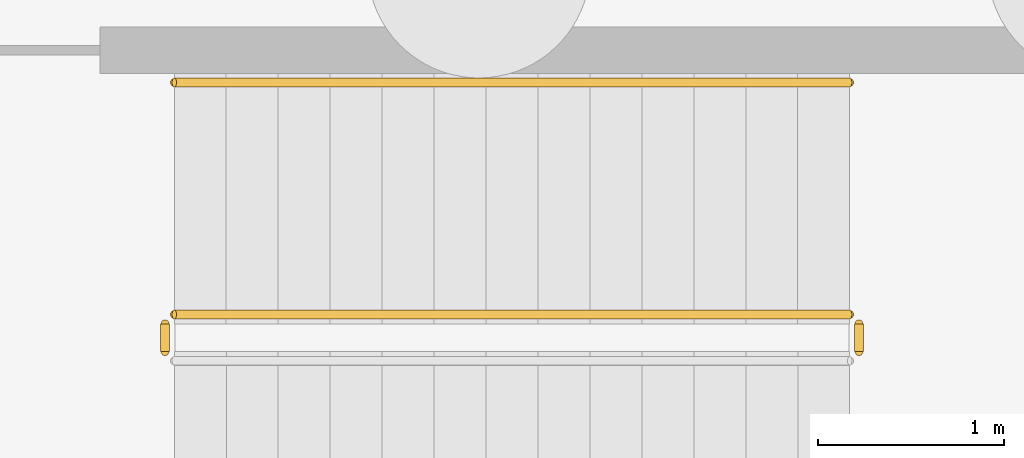
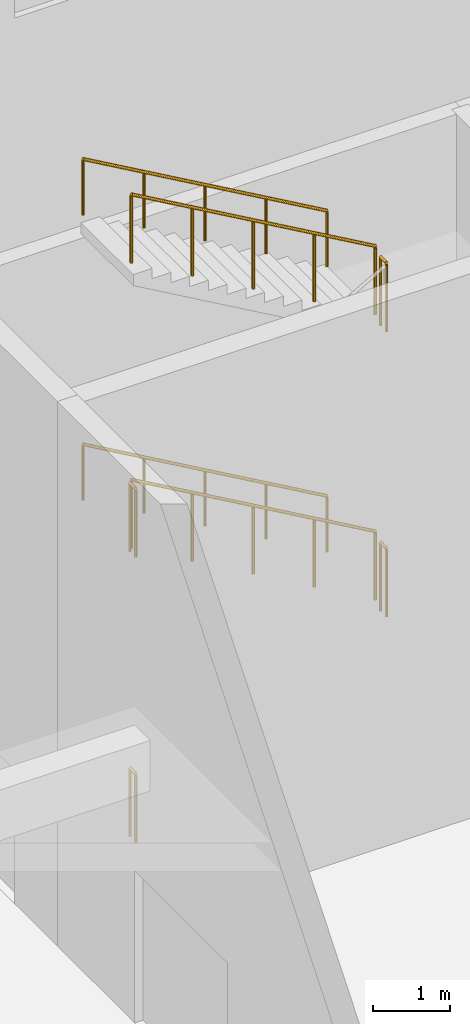
# One storey, part 58 of 63: 8 railings.
"""IFC4 building model written with IfcOpenShell, lengths in metres."""

from ifc_helpers import new_model, si_unit, direction, frame, origin, origin_2d, place, context, subcontext, project, spatial, circle, extrude, material, type_object, element, save


model = new_model("IFC4")

# Units and contexts
model_context = context("Model", 3, precision=1e-05, world=origin(), true_north=direction((0.0, 1.0)))
body_context = subcontext(model_context, "Body", "Model", "MODEL_VIEW")
ifc_project = project(units=[si_unit("LENGTHUNIT", "METRE"), si_unit("AREAUNIT", "SQUARE_METRE"), si_unit("VOLUMEUNIT", "CUBIC_METRE"), si_unit("PLANEANGLEUNIT", "RADIAN"), si_unit("MASSUNIT", "GRAM", prefix="KILO")], contexts=[model_context])

# Site, building, storey
site_placement = place(None, origin())
site = spatial("IfcSite", under=ifc_project, at=site_placement, CompositionType="ELEMENT")
building_placement = place(site_placement, origin())
building = spatial("IfcBuilding", under=site, at=building_placement, Name="Jabali Bay Hotel Tower and Convention Centre", CompositionType="ELEMENT")
storey_placement = place(building_placement, origin())
storey = spatial("IfcBuildingStorey", under=building, at=storey_placement, Name="L00", CompositionType="ELEMENT", Elevation=0.0)

# Railings
ifc_material = material(Name="Stainless steel 304", Category="steel")
railing_type_1 = type_object("IfcRailingType", Name="CC Stair Guard 1100", PredefinedType="GUARDRAIL", material=ifc_material)
railing_1_placement = place(storey_placement, frame((155.7900390625, 101.52490234375, 2.25)))
element("IfcRailing", 1, at=railing_1_placement, inside=storey, type_object=railing_type_1, Name="L00 CC-STWA stair guard 2", PredefinedType="GUARDRAIL", context=body_context, shape_type="SweptSolid", body=[
    extrude(circle(Radius=0.02392578125, at=origin_2d()), frame((0.0, 0.0, 1.076171875), z_axis=(0.0, 1.0, 0.0), x_axis=(-1.0, 0.0, 0.0)), (0.0, 0.0, 1.0), 0.150146484375),
    extrude(circle(Radius=0.02099609375, at=origin_2d()), origin(), (0.0, 0.0, 1.0), 1.052001953125),
    extrude(circle(Radius=0.02099609375, at=origin_2d()), frame((0.0, 0.150146484375, 0.0)), (0.0, 0.0, 1.0), 1.052001953125),
])
railing_2_placement = place(storey_placement, frame((155.739990234375, 101.72509765625, 2.41064453125)))
element("IfcRailing", 2, at=railing_2_placement, inside=storey, type_object=railing_type_1, Name="L00 CC-STWA stair guard 3", PredefinedType="GUARDRAIL", context=body_context, shape_type="SweptSolid", body=[
    extrude(circle(Radius=0.02392578125, at=origin_2d()), frame((0.0, 0.0, 1.076171875), z_axis=(-0.8672749571, 0.0, 0.497829437445), x_axis=(0.0, -1.0, 0.0)), (0.0, 0.0, 1.0), 4.197021484375),
    extrude(circle(Radius=0.02099609375, at=origin_2d()), origin(), (0.0, 0.0, 1.0), 1.052001953125),
    extrude(circle(Radius=0.02099609375, at=origin_2d()), frame((-0.909912109375, 0.0, 0.5224609375)), (0.0, 0.0, 1.0), 1.052001953125),
    extrude(circle(Radius=0.02099609375, at=origin_2d()), frame((-1.81982421875, 0.0, 1.044677734375)), (0.0, 0.0, 1.0), 1.052001953125),
    extrude(circle(Radius=0.02099609375, at=origin_2d()), frame((-2.72998046875, 0.0, 1.56689453125)), (0.0, 0.0, 1.0), 1.052001953125),
    extrude(circle(Radius=0.02099609375, at=origin_2d()), frame((-3.639892578125, 0.0, 2.08935546875)), (0.0, 0.0, 1.0), 1.052001953125),
])
for number, where, name in (
    (3, (152.050048828125, 101.52490234375, 4.5), "L00 CC-STWA stair guard 4"),
    (4, (155.7900390625, 101.52490234375, 6.75), "L00 CC-STWA stair guard 6"),
):
    element("IfcRailing", number, at=place(storey_placement, frame(where)), inside=storey, type_object=railing_type_1, Name=name, PredefinedType="GUARDRAIL", context=body_context, shape_type="SweptSolid", body=[
        extrude(circle(Radius=0.02392578125, at=origin_2d()), frame((0.0, 0.0, 1.076171875), z_axis=(0.0, 1.0, 0.0), x_axis=(-1.0, 0.0, 0.0)), (0.0, 0.0, 1.0), 0.150146484375),
        extrude(circle(Radius=0.02099609375, at=origin_2d()), origin(), (0.0, 0.0, 1.0), 1.052001953125),
        extrude(circle(Radius=0.02099609375, at=origin_2d()), frame((0.0, 0.150146484375, 0.0)), (0.0, 0.0, 1.0), 1.052001953125),
    ])
railing_3_placement = place(storey_placement, frame((155.739990234375, 101.72509765625, 6.91064453125)))
element("IfcRailing", 5, at=railing_3_placement, inside=storey, type_object=railing_type_1, Name="L00 CC-STWA stair guard 7", PredefinedType="GUARDRAIL", context=body_context, shape_type="SweptSolid", body=[
    extrude(circle(Radius=0.02392578125, at=origin_2d()), frame((0.0, 0.0, 1.076171875), z_axis=(-0.8672749571, 0.0, 0.497829437445), x_axis=(0.0, -1.0, 0.0)), (0.0, 0.0, 1.0), 4.197021484375),
    extrude(circle(Radius=0.02099609375, at=origin_2d()), origin(), (0.0, 0.0, 1.0), 1.052001953125),
    extrude(circle(Radius=0.02099609375, at=origin_2d()), frame((-0.909912109375, 0.0, 0.5224609375)), (0.0, 0.0, 1.0), 1.052001953125),
    extrude(circle(Radius=0.02099609375, at=origin_2d()), frame((-1.81982421875, 0.0, 1.044677734375)), (0.0, 0.0, 1.0), 1.052001953125),
    extrude(circle(Radius=0.02099609375, at=origin_2d()), frame((-2.72998046875, 0.0, 1.56689453125)), (0.0, 0.0, 1.0), 1.052001953125),
    extrude(circle(Radius=0.02099609375, at=origin_2d()), frame((-3.639892578125, 0.0, 2.08935546875)), (0.0, 0.0, 1.0), 1.052001953125),
])
railing_4_placement = place(storey_placement, frame((152.050048828125, 101.52490234375, 0.0)))
element("IfcRailing", 6, at=railing_4_placement, inside=storey, type_object=railing_type_1, Name="L00 CC-STWA stair guard 8", PredefinedType="GUARDRAIL", context=body_context, shape_type="SweptSolid", body=[
    extrude(circle(Radius=0.02392578125, at=origin_2d()), frame((0.0, 0.0, 1.076171875), z_axis=(0.0, 1.0, 0.0), x_axis=(-1.0, 0.0, 0.0)), (0.0, 0.0, 1.0), 0.150146484375),
    extrude(circle(Radius=0.02099609375, at=origin_2d()), origin(), (0.0, 0.0, 1.0), 1.052001953125),
    extrude(circle(Radius=0.02099609375, at=origin_2d()), frame((0.0, 0.150146484375, 0.0)), (0.0, 0.0, 1.0), 1.052001953125),
])
railing_type_2 = type_object("IfcRailingType", Name="CC Stair Handrail 900", PredefinedType="HANDRAIL", material=ifc_material)
for number, where, name in (
    (7, (155.739990234375, 102.97509765625, 2.41064453125), "L00 CC-STWA stair handrail 2"),
    (8, (155.739990234375, 102.97509765625, 6.91064453125), "L00 CC-STWA stair handrail 4"),
):
    element("IfcRailing", number, at=place(storey_placement, frame(where)), inside=storey, type_object=railing_type_2, Name=name, PredefinedType="HANDRAIL", context=body_context, shape_type="SweptSolid", body=[
        extrude(circle(Radius=0.02392578125, at=origin_2d()), frame((0.0, 0.0, 0.8759765625), z_axis=(-0.8672749571, 0.0, 0.497829437445), x_axis=(0.0, -1.0, 0.0)), (0.0, 0.0, 1.0), 4.197021484375),
        extrude(circle(Radius=0.02099609375, at=origin_2d()), origin(), (0.0, 0.0, 1.0), 0.851806640625),
        extrude(circle(Radius=0.02099609375, at=origin_2d()), frame((-0.909912109375, 0.0, 0.5224609375)), (0.0, 0.0, 1.0), 0.851806640625),
        extrude(circle(Radius=0.02099609375, at=origin_2d()), frame((-1.81982421875, 0.0, 1.044677734375)), (0.0, 0.0, 1.0), 0.851806640625),
        extrude(circle(Radius=0.02099609375, at=origin_2d()), frame((-2.72998046875, 0.0, 1.56689453125)), (0.0, 0.0, 1.0), 0.851806640625),
        extrude(circle(Radius=0.02099609375, at=origin_2d()), frame((-3.639892578125, 0.0, 2.08935546875)), (0.0, 0.0, 1.0), 0.851806640625),
    ])

save(model, "model.ifc")
